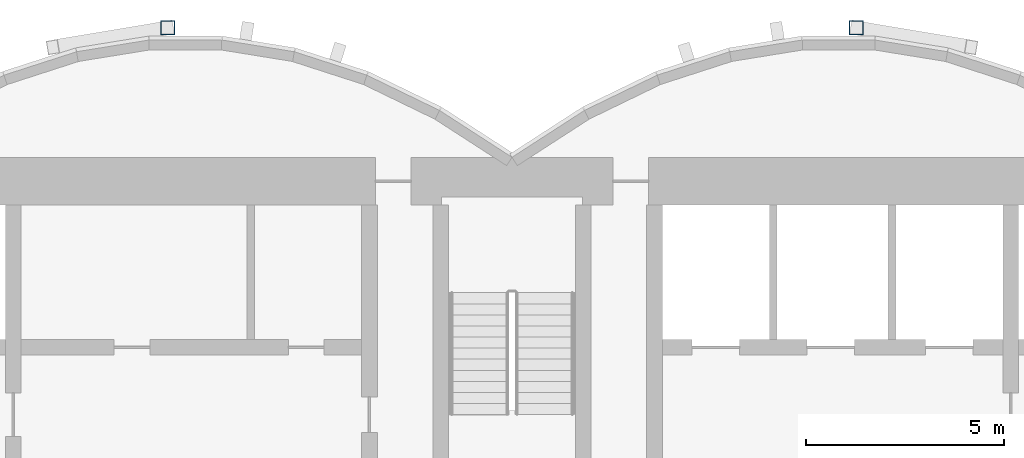
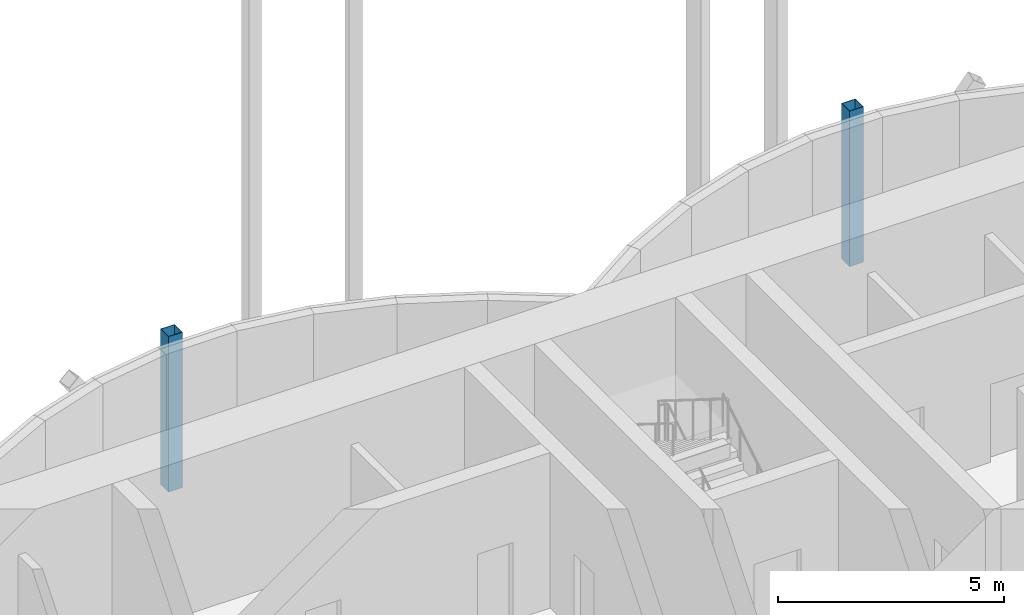
# One storey, part 3 of 28: 2 columns.
"""IFC4 building model written with IfcOpenShell, lengths in metres."""

import ifcopenshell
import ifcopenshell.guid

model = None  # the IFC model being written
_history = None  # IfcOwnerHistory: only IFC2X3 demands one
_inside = {}  # id of a spatial element -> (the spatial element, [elements in it])
_under = {}  # id of a project, library or spatial element -> (it, [spatial elements below it])
_declared = {}  # id of a project -> (the project, [libraries it declares])
_typed = {}  # id of a type object -> (the type object, [elements of that type])
_made_of = {}  # id of a material, layer set ... -> (it, [elements and type objects made of it])


def new_model(schema):
    """Start an empty IFC model of exactly this schema.

    Asked for "IFC4X3", IfcOpenShell would pick the latest addendum, in which some entities
    have other attributes; the version numbers below select the first issue.
    IFC2X3 requires an IfcOwnerHistory on every rooted entity: one is made here for all.
    """
    global model, _history
    if schema == "IFC4X3":
        model = ifcopenshell.file(schema_version=(4, 3, 0, 0))
    else:
        model = ifcopenshell.file(schema=schema)
    _inside.clear()
    _under.clear()
    _declared.clear()
    _typed.clear()
    _made_of.clear()
    _history = None
    if model.schema == "IFC2X3":
        org = make("IfcOrganization", Name="unknown")
        user = make(
            "IfcPersonAndOrganization",
            ThePerson=make("IfcPerson", FamilyName="unknown"),
            TheOrganization=org,
        )
        app = make(
            "IfcApplication",
            ApplicationDeveloper=org,
            Version="unknown",
            ApplicationFullName="unknown",
            ApplicationIdentifier="unknown",
        )
        _history = make(
            "IfcOwnerHistory",
            OwningUser=user,
            OwningApplication=app,
            ChangeAction="ADDED",
            CreationDate=0,
        )
    return model


def make(cls, **values):
    """One entity of the class cls with the attributes given. An attribute that is None is left unset."""
    return model.create_entity(
        cls, **{name: value for name, value in values.items() if value is not None}
    )


def rooted(cls, **values):
    """An entity with a GlobalId (a new one), such as an element, a storey or a relation."""
    return make(cls, GlobalId=ifcopenshell.guid.new(), OwnerHistory=_history, **values)


def si_unit(unit_type, name, prefix=None):
    """IfcSIUnit, for example si_unit("LENGTHUNIT", "METRE", prefix="MILLI")."""
    return make("IfcSIUnit", UnitType=unit_type, Prefix=prefix, Name=name)


def assignment(units):
    """IfcUnitAssignment: the units of a project."""
    return None if units is None else make("IfcUnitAssignment", Units=units)


def point(xyz):
    """IfcCartesianPoint."""
    return None if xyz is None else make("IfcCartesianPoint", Coordinates=xyz)


def direction(xyz):
    """IfcDirection."""
    return None if xyz is None else make("IfcDirection", DirectionRatios=xyz)


def frame(location, z_axis=None, x_axis=None):
    """IfcAxis2Placement3D, a coordinate frame: its origin and axes. An axis left out is left unset."""
    return make(
        "IfcAxis2Placement3D",
        Location=point(location),
        Axis=direction(z_axis),
        RefDirection=direction(x_axis),
    )


def frame_2d(location, x_axis=None):
    """IfcAxis2Placement2D, a coordinate frame in the plane: its origin and x axis."""
    return make(
        "IfcAxis2Placement2D", Location=point(location), RefDirection=direction(x_axis)
    )


def origin():
    """The frame at (0, 0, 0) with its axes left unset."""
    return frame((0.0, 0.0, 0.0))


def origin_2d():
    """The frame at (0, 0) in the plane with its x axis left unset."""
    return frame_2d((0.0, 0.0))


def place(relative_to, where):
    """IfcLocalPlacement: puts the frame where relative to a parent placement (None: the world)."""
    return make(
        "IfcLocalPlacement", PlacementRelTo=relative_to, RelativePlacement=where
    )


def context(
    kind, dimensions, precision=None, world=None, true_north=None, identifier=None
):
    """IfcGeometricRepresentationContext, for example the 3D "Model" context."""
    return make(
        "IfcGeometricRepresentationContext",
        ContextIdentifier=identifier,
        ContextType=kind,
        CoordinateSpaceDimension=dimensions,
        Precision=precision,
        WorldCoordinateSystem=world,
        TrueNorth=true_north,
    )


def subcontext(parent, identifier, kind, view, scale=None):
    """IfcGeometricRepresentationSubContext, for example "Body" below "Model"."""
    return make(
        "IfcGeometricRepresentationSubContext",
        ContextIdentifier=identifier,
        ContextType=kind,
        ParentContext=parent,
        TargetScale=scale,
        TargetView=view,
    )


def project(units=None, contexts=None):
    """IfcProject with its units and contexts."""
    return rooted(
        "IfcProject",
        Name="project",
        RepresentationContexts=contexts,
        UnitsInContext=assignment(units),
    )


def spatial(cls, under=None, at=None, **own):
    """A site, building, storey or space (cls), placed at a placement, below another one or the project."""
    s = rooted(cls, ObjectPlacement=at, **own)
    if under is not None:
        _under.setdefault(under.id(), (under, []))[1].append(s)
    return s


def profile(cls, at=None, kind="AREA", **sizes):
    """A parametric profile (cls). Its sizes go by their IFC names, for example OverallWidth=200.0."""
    return make(cls, ProfileType=kind, Position=at, **sizes)


def hollow_rectangle(**sizes):
    """IfcRectangleHollowProfileDef."""
    return profile("IfcRectangleHollowProfileDef", **sizes)


def extrude(swept, where, along, depth):
    """IfcExtrudedAreaSolid: the profile swept, set in the frame where, extruded along a direction by depth."""
    return make(
        "IfcExtrudedAreaSolid",
        SweptArea=swept,
        Position=where,
        ExtrudedDirection=direction(along),
        Depth=depth,
    )


def shape(context_of_items, identifier, shape_type, items):
    """IfcShapeRepresentation: the items that make up one representation, for example the "Body"."""
    return make(
        "IfcShapeRepresentation",
        ContextOfItems=context_of_items,
        RepresentationIdentifier=identifier,
        RepresentationType=shape_type,
        Items=items,
    )


def material(Name=None, Category=None):
    """IfcMaterial."""
    return make("IfcMaterial", Name=Name, Category=Category)


def material_profile(
    of_material, cross_section, Name=None, Category=None, Priority=None
):
    """IfcMaterialProfile: a cross section and its material."""
    return make(
        "IfcMaterialProfile",
        Name=Name,
        Material=of_material,
        Profile=cross_section,
        Priority=Priority,
        Category=Category,
    )


def profile_set(profiles, Name=None, composite=None):
    """IfcMaterialProfileSet."""
    return make(
        "IfcMaterialProfileSet",
        Name=Name,
        MaterialProfiles=profiles,
        CompositeProfile=composite,
    )


def made_of(thing, what):
    """Note that an element or type object is made of a material, layer set ...; save() writes the relation."""
    if what is not None:
        _made_of.setdefault(what.id(), (what, []))[1].append(thing)
    return thing


def type_object(cls, material=None, **own):
    """A type object (cls), such as IfcWallType, which elements share."""
    return made_of(rooted(cls, **own), material)


def element(
    cls,
    number,
    at=None,
    inside=None,
    cuts=None,
    type_object=None,
    material=None,
    context=None,
    identifier="Body",
    shape_type=None,
    held_by="IfcProductDefinitionShape",
    body=None,
    shapes=None,
    **own,
):
    """One element of the class cls, such as IfcWall. Its Tag is "e" and its number.

    at: its placement. inside: the storey or other place that contains it. cuts: it is an
    opening in that element (IfcRelVoidsElement). A single representation is given by context,
    identifier, shape_type and body (its items); several are given by shapes. held_by: the class
    of the entity that holds the representations. save() writes the other relations.
    """
    e = rooted(cls, Tag="e%d" % number, ObjectPlacement=at, **own)
    if body is not None:
        shapes = [shape(context, identifier, shape_type, body)]
    if shapes is not None:
        e.Representation = make(held_by, Representations=shapes)
    if inside is not None:
        _inside.setdefault(inside.id(), (inside, []))[1].append(e)
    if cuts is not None:
        rooted(
            "IfcRelVoidsElement", RelatingBuildingElement=cuts, RelatedOpeningElement=e
        )
    if type_object is not None:
        _typed.setdefault(type_object.id(), (type_object, []))[1].append(e)
    return made_of(e, material)


def aggregate(whole, parts):
    """IfcRelAggregates: a whole, such as a stair, and the parts it consists of."""
    return rooted("IfcRelAggregates", RelatingObject=whole, RelatedObjects=parts)


def save(model, path):
    """Write the relations noted so far, then the file.

    IfcRelAggregates (storeys below a building ...), IfcRelContainedInSpatialStructure (elements
    in a storey), IfcRelDefinesByType, IfcRelAssociatesMaterial and IfcRelDeclares: one each for
    every whole, place, type object, material and project.
    """
    for whole, parts in _under.values():
        aggregate(whole, parts)
    for where, things in _inside.values():
        rooted(
            "IfcRelContainedInSpatialStructure",
            RelatedElements=things,
            RelatingStructure=where,
        )
    for kind, things in _typed.values():
        rooted("IfcRelDefinesByType", RelatedObjects=things, RelatingType=kind)
    for what, things in _made_of.values():
        rooted("IfcRelAssociatesMaterial", RelatedObjects=things, RelatingMaterial=what)
    for by, libraries in _declared.values():
        rooted("IfcRelDeclares", RelatingContext=by, RelatedDefinitions=libraries)
    model.write(path)


model = new_model("IFC4")

# Units and contexts
model_context = context("Model", 3, precision=1e-05, world=origin(), true_north=direction((0.0, 1.0)))
body_context = subcontext(model_context, "Body", "Model", "MODEL_VIEW")
ifc_project = project(units=[si_unit("LENGTHUNIT", "METRE"), si_unit("AREAUNIT", "SQUARE_METRE"), si_unit("VOLUMEUNIT", "CUBIC_METRE"), si_unit("PLANEANGLEUNIT", "RADIAN"), si_unit("MASSUNIT", "GRAM", prefix="KILO")], contexts=[model_context])

# Site, building, storey
site_placement = place(None, origin())
site = spatial("IfcSite", under=ifc_project, at=site_placement, CompositionType="ELEMENT")
building_placement = place(site_placement, origin())
building = spatial("IfcBuilding", under=site, at=building_placement, Name="Bicima Exchange Tower", CompositionType="ELEMENT")
storey_placement = place(building_placement, frame((0.0, 0.0, 241.39990234375)))
storey = spatial("IfcBuildingStorey", under=building, at=storey_placement, Name="L54", CompositionType="ELEMENT", Elevation=241.39990234375)

# Columns
ifc_material = material(Name="Steel ASTM A572 Gr 50", Category="steel")
ifc_material_profile = material_profile(ifc_material, hollow_rectangle(XDim=0.355712890625, YDim=0.355712890625, WallThickness=0.01171875, at=origin_2d()))
ifc_profile_set = profile_set([ifc_material_profile], Name="Steel ASTM A572 Gr 50")
column_type = type_object("IfcColumnType", Name="Rear pilaster HSS14x14x1/2", PredefinedType="COLUMN", material=ifc_profile_set)
for number, where, z_axis, x_axis, name in (
    (1, (-8.699951171875, 3.26904296875, 0.0), (0.0, 0.0, 1.0), (1.0, 0.0, 0.0), "Rear pilaster rexo-8.7r"),
    (2, (8.699951171875, 3.26904296875, 0.0), (0.0, 0.0, 1.0), (1.0, 0.0, 0.0), "Rear pilaster rexo+8.7r"),
):
    element("IfcColumn", number, at=place(storey_placement, frame(where, z_axis=z_axis, x_axis=x_axis)), inside=storey, type_object=column_type, Name=name, PredefinedType="COLUMN", context=body_context, shape_type="SweptSolid", body=[
        extrude(hollow_rectangle(XDim=0.355712890625, YDim=0.355712890625, WallThickness=0.01171875, at=origin_2d()), origin(), (0.0, 0.0, 1.0), 4.2001953125),
    ])

save(model, "model.ifc")
